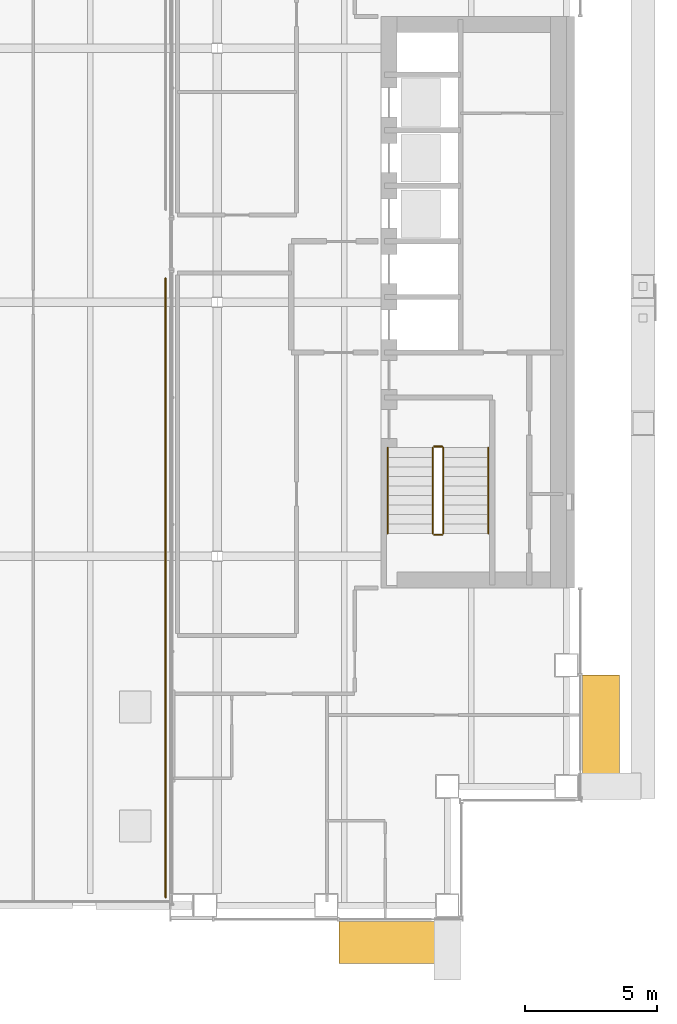
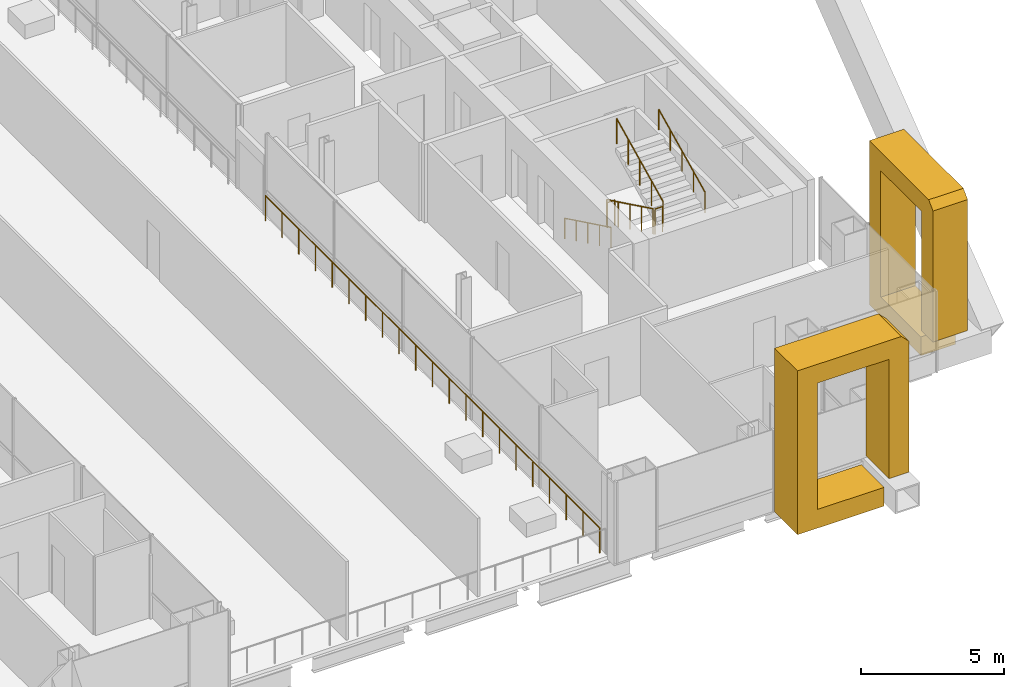
# One storey, part 18 of 20: 7 railings, 2 coverings.
"""IFC4 building model written with IfcOpenShell, lengths in metres."""

from ifc_helpers import new_model, si_unit, direction, frame, origin, origin_2d, place, context, subcontext, project, spatial, polyline, circle, outline, extrude, material, type_object, element, save


model = new_model("IFC4")

# Units and contexts
model_context = context("Model", 3, precision=1e-05, world=origin(), true_north=direction((0.0, 1.0)))
body_context = subcontext(model_context, "Body", "Model", "MODEL_VIEW")
ifc_project = project(units=[si_unit("LENGTHUNIT", "METRE"), si_unit("AREAUNIT", "SQUARE_METRE"), si_unit("VOLUMEUNIT", "CUBIC_METRE"), si_unit("PLANEANGLEUNIT", "RADIAN"), si_unit("MASSUNIT", "GRAM", prefix="KILO")], contexts=[model_context])

# Site, building, storey
site_placement = place(None, origin())
site = spatial("IfcSite", under=ifc_project, at=site_placement, CompositionType="ELEMENT")
building_placement = place(site_placement, origin())
building = spatial("IfcBuilding", under=site, at=building_placement, Name="Cobrizo Arcos Hotel Tower", CompositionType="ELEMENT")
storey_placement = place(building_placement, frame((0.0, 0.0, 117.0)))
storey = spatial("IfcBuildingStorey", under=building, at=storey_placement, Name="L29", CompositionType="ELEMENT", Elevation=117.0)

# Coverings
ifc_material_1 = material(Name="Aluminium 6063-T6 anodised bronze", Category="aluminium")
covering_type_1 = type_object("IfcCoveringType", Name="FIN-F 1400", PredefinedType="CLADDING", material=ifc_material_1)
covering_1_placement = place(storey_placement, frame((23.39990234375, -18.550048828125, 0.0), z_axis=(1.0, 0.0, 0.0), x_axis=(0.0, 1.0, 0.0)))
element("IfcCovering", 1, at=covering_1_placement, inside=storey, type_object=covering_type_1, Name="Fin frame 121", PredefinedType="CLADDING", context=body_context, shape_type="SweptSolid", body=[
    extrude(outline(polyline([(0.0, 6.699951171875), (0.0, 1.10205078125), (0.800048828125, 1.10205078125), (0.800048828125, 6.199951171875), (3.66259765625, 6.199951171875), (3.66259765625, 0.800048828125), (0.85205078125, 0.800048828125), (0.85205078125, 0.0), (4.46240234375, 0.0), (4.46240234375, 7.0), (0.300048828125, 7.0), (0.0, 6.699951171875)])), origin(), (0.0, 0.0, 1.0), 1.400146484375),
])
covering_type_2 = type_object("IfcCoveringType", Name="FIN-F 1600", PredefinedType="CLADDING", material=ifc_material_1)
covering_2_placement = place(storey_placement, frame((14.199951171875, -23.39990234375, 0.0), z_axis=(0.0, -1.0, 0.0), x_axis=(1.0, 0.0, 0.0)))
element("IfcCovering", 2, at=covering_2_placement, inside=storey, type_object=covering_type_2, Name="Fin frame 144", PredefinedType="CLADDING", context=body_context, shape_type="SweptSolid", body=[
    extrude(outline(polyline([(0.0, 0.0), (3.498046875, 0.0), (3.498046875, 0.800048828125), (0.800048828125, 0.800048828125), (0.800048828125, 6.199951171875), (3.699951171875, 6.199951171875), (3.699951171875, 1.10205078125), (4.5, 1.10205078125), (4.5, 6.699951171875), (4.199951171875, 7.0), (0.0, 7.0), (0.0, 0.0)])), origin(), (0.0, 0.0, 1.0), 1.60009765625),
])

# Railings
ifc_material_2 = material(Name="Stainless steel railing", Category="steel")
railing_type_1 = type_object("IfcRailingType", Name="Garden deck guard 1100", PredefinedType="GUARDRAIL", material=ifc_material_2)
railing_1_placement = place(storey_placement, frame((7.64990234375, -22.5, 0.0)))
element("IfcRailing", 3, at=railing_1_placement, inside=storey, type_object=railing_type_1, Name="Garden deck east guard", PredefinedType="GUARDRAIL", context=body_context, shape_type="SweptSolid", body=[
    extrude(circle(Radius=0.02392578125, at=origin_2d()), frame((0.0, 0.0, 1.076171875), z_axis=(0.0, 1.0, 0.0), x_axis=(-1.0, 0.0, 0.0)), (0.0, 0.0, 1.0), 23.39990234375),
    extrude(circle(Radius=0.02099609375, at=origin_2d()), origin(), (0.0, 0.0, 1.0), 1.052001953125),
    extrude(circle(Radius=0.02099609375, at=origin_2d()), frame((0.0, 1.169921875, 0.0)), (0.0, 0.0, 1.0), 1.052001953125),
    extrude(circle(Radius=0.02099609375, at=origin_2d()), frame((0.0, 2.340087890625, 0.0)), (0.0, 0.0, 1.0), 1.052001953125),
    extrude(circle(Radius=0.02099609375, at=origin_2d()), frame((0.0, 3.510009765625, 0.0)), (0.0, 0.0, 1.0), 1.052001953125),
    extrude(circle(Radius=0.02099609375, at=origin_2d()), frame((0.0, 4.679931640625, 0.0)), (0.0, 0.0, 1.0), 1.052001953125),
    extrude(circle(Radius=0.02099609375, at=origin_2d()), frame((0.0, 5.85009765625, 0.0)), (0.0, 0.0, 1.0), 1.052001953125),
    extrude(circle(Radius=0.02099609375, at=origin_2d()), frame((0.0, 7.02001953125, 0.0)), (0.0, 0.0, 1.0), 1.052001953125),
    extrude(circle(Radius=0.02099609375, at=origin_2d()), frame((0.0, 8.18994140625, 0.0)), (0.0, 0.0, 1.0), 1.052001953125),
    extrude(circle(Radius=0.02099609375, at=origin_2d()), frame((0.0, 9.35986328125, 0.0)), (0.0, 0.0, 1.0), 1.052001953125),
    extrude(circle(Radius=0.02099609375, at=origin_2d()), frame((0.0, 10.530029296875, 0.0)), (0.0, 0.0, 1.0), 1.052001953125),
    extrude(circle(Radius=0.02099609375, at=origin_2d()), frame((0.0, 11.699951171875, 0.0)), (0.0, 0.0, 1.0), 1.052001953125),
    extrude(circle(Radius=0.02099609375, at=origin_2d()), frame((0.0, 12.869873046875, 0.0)), (0.0, 0.0, 1.0), 1.052001953125),
    extrude(circle(Radius=0.02099609375, at=origin_2d()), frame((0.0, 14.0400390625, 0.0)), (0.0, 0.0, 1.0), 1.052001953125),
    extrude(circle(Radius=0.02099609375, at=origin_2d()), frame((0.0, 15.2099609375, 0.0)), (0.0, 0.0, 1.0), 1.052001953125),
    extrude(circle(Radius=0.02099609375, at=origin_2d()), frame((0.0, 16.3798828125, 0.0)), (0.0, 0.0, 1.0), 1.052001953125),
    extrude(circle(Radius=0.02099609375, at=origin_2d()), frame((0.0, 17.5498046875, 0.0)), (0.0, 0.0, 1.0), 1.052001953125),
    extrude(circle(Radius=0.02099609375, at=origin_2d()), frame((0.0, 18.719970703125, 0.0)), (0.0, 0.0, 1.0), 1.052001953125),
    extrude(circle(Radius=0.02099609375, at=origin_2d()), frame((0.0, 19.889892578125, 0.0)), (0.0, 0.0, 1.0), 1.052001953125),
    extrude(circle(Radius=0.02099609375, at=origin_2d()), frame((0.0, 21.059814453125, 0.0)), (0.0, 0.0, 1.0), 1.052001953125),
    extrude(circle(Radius=0.02099609375, at=origin_2d()), frame((0.0, 22.22998046875, 0.0)), (0.0, 0.0, 1.0), 1.052001953125),
    extrude(circle(Radius=0.02099609375, at=origin_2d()), frame((0.0, 23.39990234375, 0.0)), (0.0, 0.0, 1.0), 1.052001953125),
])
railing_type_2 = type_object("IfcRailingType", Name="Stair guard 1100", PredefinedType="GUARDRAIL", material=ifc_material_2)
railing_2_placement = place(storey_placement, frame((17.75, -5.5, 0.175048828125)))
element("IfcRailing", 4, at=railing_2_placement, inside=storey, type_object=railing_type_2, Name="L29 ST-E stair guard 1", PredefinedType="GUARDRAIL", context=body_context, shape_type="SweptSolid", body=[
    extrude(circle(Radius=0.02392578125, at=origin_2d()), frame((0.0, 0.0, 1.076171875), z_axis=(0.0, -0.899372665325, 0.437182809435), x_axis=(1.0, 0.0, 0.0)), (0.0, 0.0, 1.0), 3.6025390625),
    extrude(circle(Radius=0.02099609375, at=origin_2d()), origin(), (0.0, 0.0, 1.0), 1.052001953125),
    extrude(circle(Radius=0.02099609375, at=origin_2d()), frame((0.0, -0.81005859375, 0.393798828125)), (0.0, 0.0, 1.0), 1.052001953125),
    extrude(circle(Radius=0.02099609375, at=origin_2d()), frame((0.0, -1.6201171875, 0.78759765625)), (0.0, 0.0, 1.0), 1.052001953125),
    extrude(circle(Radius=0.02099609375, at=origin_2d()), frame((0.0, -2.429931640625, 1.18115234375)), (0.0, 0.0, 1.0), 1.052001953125),
    extrude(circle(Radius=0.02099609375, at=origin_2d()), frame((0.0, -3.239990234375, 1.574951171875)), (0.0, 0.0, 1.0), 1.052001953125),
])
railing_3_placement = place(storey_placement, frame((17.800048828125, -8.7900390625, 1.75)))
element("IfcRailing", 5, at=railing_3_placement, inside=storey, type_object=railing_type_2, Name="L29 ST-E stair guard 2", PredefinedType="GUARDRAIL", context=body_context, shape_type="SweptSolid", body=[
    extrude(circle(Radius=0.02392578125, at=origin_2d()), frame((0.0, 0.0, 1.076171875), z_axis=(1.0, 0.0, 0.0), x_axis=(0.0, 1.0, 0.0)), (0.0, 0.0, 1.0), 0.300048828125),
    extrude(circle(Radius=0.02099609375, at=origin_2d()), origin(), (0.0, 0.0, 1.0), 1.052001953125),
    extrude(circle(Radius=0.02099609375, at=origin_2d()), frame((0.300048828125, 0.0, 0.0)), (0.0, 0.0, 1.0), 1.052001953125),
])
railing_4_placement = place(storey_placement, frame((18.14990234375, -8.739990234375, 1.925048828125)))
element("IfcRailing", 6, at=railing_4_placement, inside=storey, type_object=railing_type_2, Name="L29 ST-E stair guard 3", PredefinedType="GUARDRAIL", context=body_context, shape_type="SweptSolid", body=[
    extrude(circle(Radius=0.02392578125, at=origin_2d()), frame((0.0, 0.0, 1.076171875), z_axis=(0.0, 0.899372665325, 0.437182809435), x_axis=(-1.0, 0.0, 0.0)), (0.0, 0.0, 1.0), 3.6025390625),
    extrude(circle(Radius=0.02099609375, at=origin_2d()), origin(), (0.0, 0.0, 1.0), 1.052001953125),
    extrude(circle(Radius=0.02099609375, at=origin_2d()), frame((0.0, 0.81005859375, 0.393798828125)), (0.0, 0.0, 1.0), 1.052001953125),
    extrude(circle(Radius=0.02099609375, at=origin_2d()), frame((0.0, 1.6201171875, 0.78759765625)), (0.0, 0.0, 1.0), 1.052001953125),
    extrude(circle(Radius=0.02099609375, at=origin_2d()), frame((0.0, 2.429931640625, 1.18115234375)), (0.0, 0.0, 1.0), 1.052001953125),
    extrude(circle(Radius=0.02099609375, at=origin_2d()), frame((0.0, 3.239990234375, 1.574951171875)), (0.0, 0.0, 1.0), 1.052001953125),
])
railing_5_placement = place(storey_placement, frame((17.800048828125, -5.449951171875, 0.0)))
element("IfcRailing", 7, at=railing_5_placement, inside=storey, type_object=railing_type_2, Name="L29 ST-E stair guard 4", PredefinedType="GUARDRAIL", context=body_context, shape_type="SweptSolid", body=[
    extrude(circle(Radius=0.02392578125, at=origin_2d()), frame((0.0, 0.0, 1.076171875), z_axis=(1.0, 0.0, 0.0), x_axis=(0.0, 1.0, 0.0)), (0.0, 0.0, 1.0), 0.300048828125),
    extrude(circle(Radius=0.02099609375, at=origin_2d()), origin(), (0.0, 0.0, 1.0), 1.052001953125),
    extrude(circle(Radius=0.02099609375, at=origin_2d()), frame((0.300048828125, 0.0, 0.0)), (0.0, 0.0, 1.0), 1.052001953125),
])
railing_type_3 = type_object("IfcRailingType", Name="Stair handrail", PredefinedType="HANDRAIL", material=ifc_material_2)
railing_6_placement = place(storey_placement, frame((16.050048828125, -5.5, 0.175048828125)))
element("IfcRailing", 8, at=railing_6_placement, inside=storey, type_object=railing_type_3, Name="L29 ST-E stair handrail 1", PredefinedType="HANDRAIL", context=body_context, shape_type="SweptSolid", body=[
    extrude(circle(Radius=0.02392578125, at=origin_2d()), frame((0.0, 0.0, 0.8759765625), z_axis=(0.0, -0.899372665325, 0.437182809435), x_axis=(1.0, 0.0, 0.0)), (0.0, 0.0, 1.0), 3.6025390625),
    extrude(circle(Radius=0.02099609375, at=origin_2d()), origin(), (0.0, 0.0, 1.0), 0.851806640625),
    extrude(circle(Radius=0.02099609375, at=origin_2d()), frame((0.0, -0.81005859375, 0.393798828125)), (0.0, 0.0, 1.0), 0.851806640625),
    extrude(circle(Radius=0.02099609375, at=origin_2d()), frame((0.0, -1.6201171875, 0.78759765625)), (0.0, 0.0, 1.0), 0.851806640625),
    extrude(circle(Radius=0.02099609375, at=origin_2d()), frame((0.0, -2.429931640625, 1.18115234375)), (0.0, 0.0, 1.0), 0.851806640625),
    extrude(circle(Radius=0.02099609375, at=origin_2d()), frame((0.0, -3.239990234375, 1.574951171875)), (0.0, 0.0, 1.0), 0.851806640625),
])
railing_7_placement = place(storey_placement, frame((19.85009765625, -8.739990234375, 1.925048828125)))
element("IfcRailing", 9, at=railing_7_placement, inside=storey, type_object=railing_type_3, Name="L29 ST-E stair handrail 2", PredefinedType="HANDRAIL", context=body_context, shape_type="SweptSolid", body=[
    extrude(circle(Radius=0.02392578125, at=origin_2d()), frame((0.0, 0.0, 0.8759765625), z_axis=(0.0, 0.899372665325, 0.437182809435), x_axis=(-1.0, 0.0, 0.0)), (0.0, 0.0, 1.0), 3.6025390625),
    extrude(circle(Radius=0.02099609375, at=origin_2d()), origin(), (0.0, 0.0, 1.0), 0.851806640625),
    extrude(circle(Radius=0.02099609375, at=origin_2d()), frame((0.0, 0.81005859375, 0.393798828125)), (0.0, 0.0, 1.0), 0.851806640625),
    extrude(circle(Radius=0.02099609375, at=origin_2d()), frame((0.0, 1.6201171875, 0.78759765625)), (0.0, 0.0, 1.0), 0.851806640625),
    extrude(circle(Radius=0.02099609375, at=origin_2d()), frame((0.0, 2.429931640625, 1.18115234375)), (0.0, 0.0, 1.0), 0.851806640625),
    extrude(circle(Radius=0.02099609375, at=origin_2d()), frame((0.0, 3.239990234375, 1.574951171875)), (0.0, 0.0, 1.0), 0.851806640625),
])

save(model, "model.ifc")
